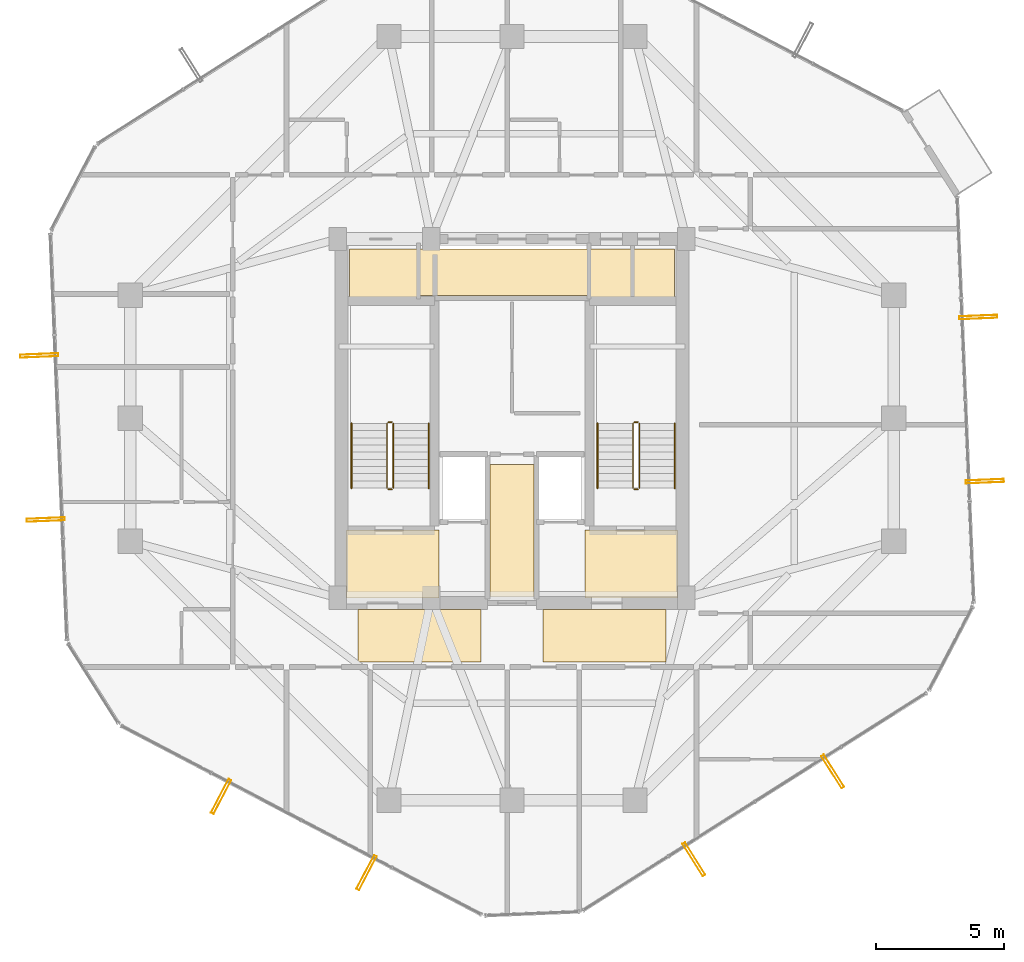
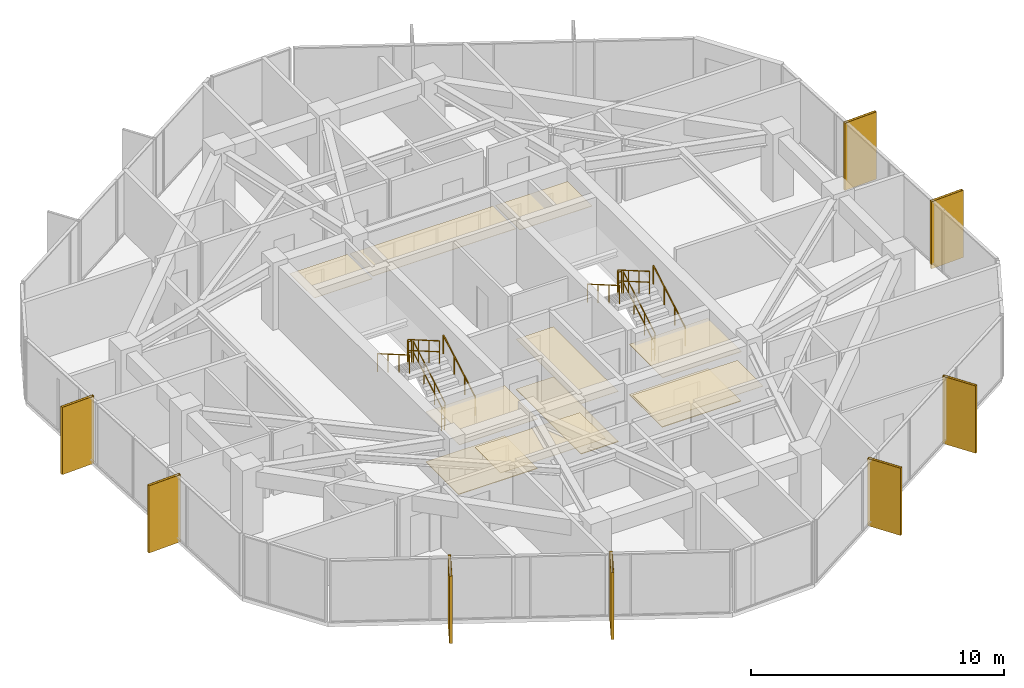
# One storey, part 32 of 33: 12 railings, 11 coverings, 8 shading devices.
"""IFC4 building model written with IfcOpenShell, lengths in metres."""

from ifc_helpers import new_model, si_unit, direction, frame, origin, origin_2d, place, context, subcontext, project, spatial, polyline, hollow_rectangle, circle, outline, extrude, material, layer, layer_set, material_profile, profile_set, type_object, element, save


model = new_model("IFC4")

# Units and contexts
model_context = context("Model", 3, precision=1e-05, world=origin(), true_north=direction((0.0, 1.0)))
body_context = subcontext(model_context, "Body", "Model", "MODEL_VIEW")
ifc_project = project(units=[si_unit("LENGTHUNIT", "METRE"), si_unit("AREAUNIT", "SQUARE_METRE"), si_unit("VOLUMEUNIT", "CUBIC_METRE"), si_unit("PLANEANGLEUNIT", "RADIAN"), si_unit("MASSUNIT", "GRAM", prefix="KILO")], contexts=[model_context])

# Site, building, storey
site_placement = place(None, origin())
site = spatial("IfcSite", under=ifc_project, at=site_placement, CompositionType="ELEMENT")
building_placement = place(site_placement, origin())
building = spatial("IfcBuilding", under=site, at=building_placement, Name="Veraguas Prism Commons", CompositionType="ELEMENT")
storey_placement = place(building_placement, frame((0.0, 0.0, 198.35009765625)))
storey = spatial("IfcBuildingStorey", under=building, at=storey_placement, Name="L56", CompositionType="ELEMENT", Elevation=198.35009765625)

# Shading devices
ifc_material_1 = material(Name="Anodised aluminium EN AW-6063 T6", Category="aluminium")
ifc_material_profile = material_profile(ifc_material_1, hollow_rectangle(XDim=0.1201171875, YDim=1.489990234375, WallThickness=0.006103515625, at=origin_2d()), Name="FIN120X1490X6")
ifc_profile_set = profile_set([ifc_material_profile], Name="Anodised aluminium EN AW-6063 T6")
shading_device_type = type_object("IfcShadingDeviceType", Name="Deep Pale-Metal Vertical Solar Fin 120x1490", PredefinedType="USERDEFINED", material=ifc_profile_set)
for number, where, z_axis, x_axis, name in (
    (1, (5.54931640625, 26.453125, -0.215087890625), (0.0, 0.0, 1.0), (0.040824120356, -0.999166348111, 0.0), "Vertical Pale-Metal Solar Fin L56-F3A"),
    (2, (5.810791015625, 20.049560546875, -0.215087890625), (0.0, 0.0, 1.0), (0.040824120356, -0.999166348111, 0.0), "Vertical Pale-Metal Solar Fin L56-F3B"),
    (3, (12.650146484375, 9.247802734375, -0.215087890625), (0.0, 0.0, 1.0), (0.885718741153, -0.464222265268, 0.0), "Vertical Pale-Metal Solar Fin L56-F4A"),
    (4, (18.32666015625, 6.2724609375, -0.215087890625), (0.0, 0.0, 1.0), (0.885718741153, -0.464222265268, 0.0), "Vertical Pale-Metal Solar Fin L56-F4B"),
    (5, (31.100830078125, 6.794677734375, -0.215087890625), (0.0, 0.0, 1.0), (0.844886711646, 0.534945272419, 0.0), "Vertical Pale-Metal Solar Fin L56-F5A"),
    (6, (36.515625, 10.222900390625, -0.215087890625), (0.0, 0.0, 1.0), (0.844886711646, 0.534945272419, 0.0), "Vertical Pale-Metal Solar Fin L56-F5B"),
    (7, (42.45068359375, 21.546875, -0.215087890625), (0.0, 0.0, 1.0), (-0.040824120356, 0.999166348111, 0.0), "Vertical Pale-Metal Solar Fin L56-F6A"),
    (8, (42.189208984375, 27.950439453125, -0.215087890625), (0.0, 0.0, 1.0), (-0.040824120356, 0.999166348111, 0.0), "Vertical Pale-Metal Solar Fin L56-F6B"),
):
    element("IfcShadingDevice", number, at=place(storey_placement, frame(where, z_axis=z_axis, x_axis=x_axis)), inside=storey, type_object=shading_device_type, Name=name, ObjectType="FIN", PredefinedType="USERDEFINED", context=body_context, shape_type="SweptSolid", body=[
        extrude(hollow_rectangle(XDim=0.1201171875, YDim=1.489990234375, WallThickness=0.006103515625, at=origin_2d()), origin(), (0.0, 0.0, 1.0), 3.25),
    ])

# Coverings
ifc_material_2 = material(Name="Acoustic gypsum board")
ifc_layer_1 = layer(ifc_material_2, 0.02490234375, Name="Perforated Acoustic Ceiling Tile 25")
ifc_layer_set_1 = layer_set([ifc_layer_1], Name="Acoustic gypsum board")
covering_type_1 = type_object("IfcCoveringType", Name="Perforated Acoustic Ceiling Tile 25", PredefinedType="USERDEFINED", material=ifc_layer_set_1)
covering_1_placement = place(storey_placement, frame((0.0, 0.0, 2.4248046875)))
element("IfcCovering", 9, at=covering_1_placement, inside=storey, type_object=covering_type_1, Name="East Lobby Acoustic Ceiling L56", ObjectType="ACOUSTIC CEILING", PredefinedType="USERDEFINED", context=body_context, shape_type="SweptSolid", body=[
    extrude(outline(polyline([(26.85009765625, 17.0), (30.449951171875, 17.0), (30.449951171875, 19.64990234375), (26.85009765625, 19.64990234375), (26.85009765625, 17.0)])), origin(), (0.0, 0.0, 1.0), 0.025146484375),
])
ifc_material_3 = material(Name="Terrazzo stone finish", Category="masonry")
ifc_layer_2 = layer(ifc_material_3, 0.030029296875, Name="Polished Terrazzo Floor Finish 30", Category="masonry")
ifc_layer_set_2 = layer_set([ifc_layer_2], Name="Terrazzo stone finish")
covering_type_2 = type_object("IfcCoveringType", Name="Polished Terrazzo Floor Finish 30", PredefinedType="FLOORING", material=ifc_layer_set_2)
covering_2_placement = place(storey_placement, origin())
element("IfcCovering", 10, at=covering_2_placement, inside=storey, type_object=covering_type_2, Name="Terrazzo Lobby Flooring L56", PredefinedType="FLOORING", context=body_context, shape_type="SweptSolid", body=[
    extrude(outline(polyline([(23.14990234375, 17.050048828125), (24.85009765625, 17.050048828125), (24.85009765625, 22.199951171875), (23.14990234375, 22.199951171875), (23.14990234375, 17.050048828125)])), origin(), (0.0, 0.0, 1.0), 0.02978515625),
])
covering_3_placement = place(storey_placement, origin())
element("IfcCovering", 11, at=covering_3_placement, inside=storey, type_object=covering_type_2, Name="West FF Lobby Terrazzo Flooring L56", PredefinedType="FLOORING", context=body_context, shape_type="SweptSolid", body=[
    extrude(outline(polyline([(17.550048828125, 17.050048828125), (21.14990234375, 17.050048828125), (21.14990234375, 19.64990234375), (17.550048828125, 19.64990234375), (17.550048828125, 17.050048828125)])), origin(), (0.0, 0.0, 1.0), 0.02978515625),
])
covering_4_placement = place(storey_placement, origin())
element("IfcCovering", 12, at=covering_4_placement, inside=storey, type_object=covering_type_2, Name="East FF Lobby Terrazzo Flooring L56", PredefinedType="FLOORING", context=body_context, shape_type="SweptSolid", body=[
    extrude(outline(polyline([(26.85009765625, 17.050048828125), (30.449951171875, 17.050048828125), (30.449951171875, 19.64990234375), (26.85009765625, 19.64990234375), (26.85009765625, 17.050048828125)])), origin(), (0.0, 0.0, 1.0), 0.02978515625),
])

# Railings
ifc_material_4 = material(Name="Stainless steel AISI 316", Category="steel")
railing_type_1 = type_object("IfcRailingType", Name="Stair and Ramp Stainless Handrail 900", PredefinedType="HANDRAIL", material=ifc_material_4)
railing_1_placement = place(storey_placement, frame((20.75, 21.280029296875, 0.162353515625)))
element("IfcRailing", 13, at=railing_1_placement, inside=storey, type_object=railing_type_1, Name="Stair Handrail ST-01 L56-1", PredefinedType="HANDRAIL", context=body_context, shape_type="SweptSolid", body=[
    extrude(circle(Radius=0.02392578125, at=origin_2d()), frame((0.0, 0.0, 0.8759765625), z_axis=(0.0, 0.864876961378, 0.501983905795), x_axis=(-1.0, 0.0, 0.0)), (0.0, 0.0, 1.0), 2.913818359375),
    extrude(circle(Radius=0.02099609375, at=origin_2d()), origin(), (0.0, 0.0, 1.0), 0.851806640625),
    extrude(circle(Radius=0.02099609375, at=origin_2d()), frame((0.0, 0.840087890625, 0.487548828125)), (0.0, 0.0, 1.0), 0.851806640625),
    extrude(circle(Radius=0.02099609375, at=origin_2d()), frame((0.0, 1.679931640625, 0.97509765625)), (0.0, 0.0, 1.0), 0.851806640625),
    extrude(circle(Radius=0.02099609375, at=origin_2d()), frame((0.0, 2.52001953125, 1.462646484375)), (0.0, 0.0, 1.0), 0.851806640625),
])
railing_2_placement = place(storey_placement, frame((17.739990234375, 23.800048828125, 1.787353515625)))
element("IfcRailing", 14, at=railing_2_placement, inside=storey, type_object=railing_type_1, Name="Stair Handrail ST-01 L56-2", PredefinedType="HANDRAIL", context=body_context, shape_type="SweptSolid", body=[
    extrude(circle(Radius=0.02392578125, at=origin_2d()), frame((0.0, 0.0, 0.8759765625), z_axis=(0.0, -0.864876961378, 0.501983905795), x_axis=(1.0, 0.0, 0.0)), (0.0, 0.0, 1.0), 2.913818359375),
    extrude(circle(Radius=0.02099609375, at=origin_2d()), origin(), (0.0, 0.0, 1.0), 0.851806640625),
    extrude(circle(Radius=0.02099609375, at=origin_2d()), frame((0.0, -0.840087890625, 0.487548828125)), (0.0, 0.0, 1.0), 0.851806640625),
    extrude(circle(Radius=0.02099609375, at=origin_2d()), frame((0.0, -1.679931640625, 0.97509765625)), (0.0, 0.0, 1.0), 0.851806640625),
    extrude(circle(Radius=0.02099609375, at=origin_2d()), frame((0.0, -2.52001953125, 1.462646484375)), (0.0, 0.0, 1.0), 0.851806640625),
])
railing_3_placement = place(storey_placement, frame((30.35009765625, 21.280029296875, 0.162353515625)))
element("IfcRailing", 15, at=railing_3_placement, inside=storey, type_object=railing_type_1, Name="Stair Handrail ST-02 L56-1", PredefinedType="HANDRAIL", context=body_context, shape_type="SweptSolid", body=[
    extrude(circle(Radius=0.02392578125, at=origin_2d()), frame((0.0, 0.0, 0.8759765625), z_axis=(0.0, 0.864876961378, 0.501983905795), x_axis=(-1.0, 0.0, 0.0)), (0.0, 0.0, 1.0), 2.913818359375),
    extrude(circle(Radius=0.02099609375, at=origin_2d()), origin(), (0.0, 0.0, 1.0), 0.851806640625),
    extrude(circle(Radius=0.02099609375, at=origin_2d()), frame((0.0, 0.840087890625, 0.487548828125)), (0.0, 0.0, 1.0), 0.851806640625),
    extrude(circle(Radius=0.02099609375, at=origin_2d()), frame((0.0, 1.679931640625, 0.97509765625)), (0.0, 0.0, 1.0), 0.851806640625),
    extrude(circle(Radius=0.02099609375, at=origin_2d()), frame((0.0, 2.52001953125, 1.462646484375)), (0.0, 0.0, 1.0), 0.851806640625),
])
railing_4_placement = place(storey_placement, frame((27.340087890625, 23.800048828125, 1.787353515625)))
element("IfcRailing", 16, at=railing_4_placement, inside=storey, type_object=railing_type_1, Name="Stair Handrail ST-02 L56-2", PredefinedType="HANDRAIL", context=body_context, shape_type="SweptSolid", body=[
    extrude(circle(Radius=0.02392578125, at=origin_2d()), frame((0.0, 0.0, 0.8759765625), z_axis=(0.0, -0.864876961378, 0.501983905795), x_axis=(1.0, 0.0, 0.0)), (0.0, 0.0, 1.0), 2.913818359375),
    extrude(circle(Radius=0.02099609375, at=origin_2d()), origin(), (0.0, 0.0, 1.0), 0.851806640625),
    extrude(circle(Radius=0.02099609375, at=origin_2d()), frame((0.0, -0.840087890625, 0.487548828125)), (0.0, 0.0, 1.0), 0.851806640625),
    extrude(circle(Radius=0.02099609375, at=origin_2d()), frame((0.0, -1.679931640625, 0.97509765625)), (0.0, 0.0, 1.0), 0.851806640625),
    extrude(circle(Radius=0.02099609375, at=origin_2d()), frame((0.0, -2.52001953125, 1.462646484375)), (0.0, 0.0, 1.0), 0.851806640625),
])
railing_type_2 = type_object("IfcRailingType", Name="Stairwell Safety Guardrail 1100", PredefinedType="GUARDRAIL", material=ifc_material_4)
railing_5_placement = place(storey_placement, frame((19.3701171875, 21.280029296875, 0.162353515625)))
element("IfcRailing", 17, at=railing_5_placement, inside=storey, type_object=railing_type_2, Name="Stair Guard ST-01 L56-1", PredefinedType="GUARDRAIL", context=body_context, shape_type="SweptSolid", body=[
    extrude(circle(Radius=0.02392578125, at=origin_2d()), frame((0.0, 0.0, 1.076171875), z_axis=(0.0, 0.864876961378, 0.501983905795), x_axis=(-1.0, 0.0, 0.0)), (0.0, 0.0, 1.0), 2.913818359375),
    extrude(circle(Radius=0.02392578125, at=origin_2d()), frame((0.0, 0.0, 0.550048828125), z_axis=(0.0, 0.864876961378, 0.501983905795), x_axis=(-1.0, 0.0, 0.0)), (0.0, 0.0, 1.0), 2.913818359375),
    extrude(circle(Radius=0.02099609375, at=origin_2d()), origin(), (0.0, 0.0, 1.0), 1.052001953125),
    extrude(circle(Radius=0.02099609375, at=origin_2d()), frame((0.0, 0.840087890625, 0.487548828125)), (0.0, 0.0, 1.0), 1.052001953125),
    extrude(circle(Radius=0.02099609375, at=origin_2d()), frame((0.0, 1.679931640625, 0.97509765625)), (0.0, 0.0, 1.0), 1.052001953125),
    extrude(circle(Radius=0.02099609375, at=origin_2d()), frame((0.0, 2.52001953125, 1.462646484375)), (0.0, 0.0, 1.0), 1.052001953125),
])
railing_6_placement = place(storey_placement, frame((19.320068359375, 23.85009765625, 1.625)))
element("IfcRailing", 18, at=railing_6_placement, inside=storey, type_object=railing_type_2, Name="Stair Guard ST-01 L56-2", PredefinedType="GUARDRAIL", context=body_context, shape_type="SweptSolid", body=[
    extrude(circle(Radius=0.02392578125, at=origin_2d()), frame((0.0, 0.0, 1.076171875), z_axis=(-1.0, 0.0, 0.0), x_axis=(0.0, -1.0, 0.0)), (0.0, 0.0, 1.0), 0.150146484375),
    extrude(circle(Radius=0.02392578125, at=origin_2d()), frame((0.0, 0.0, 0.550048828125), z_axis=(-1.0, 0.0, 0.0), x_axis=(0.0, -1.0, 0.0)), (0.0, 0.0, 1.0), 0.150146484375),
    extrude(circle(Radius=0.02099609375, at=origin_2d()), origin(), (0.0, 0.0, 1.0), 1.052001953125),
    extrude(circle(Radius=0.02099609375, at=origin_2d()), frame((-0.150146484375, 0.0, 0.0)), (0.0, 0.0, 1.0), 1.052001953125),
])
railing_7_placement = place(storey_placement, frame((19.1201171875, 23.800048828125, 1.787353515625)))
element("IfcRailing", 19, at=railing_7_placement, inside=storey, type_object=railing_type_2, Name="Stair Guard ST-01 L56-3", PredefinedType="GUARDRAIL", context=body_context, shape_type="SweptSolid", body=[
    extrude(circle(Radius=0.02392578125, at=origin_2d()), frame((0.0, 0.0, 1.076171875), z_axis=(0.0, -0.864876961378, 0.501983905795), x_axis=(1.0, 0.0, 0.0)), (0.0, 0.0, 1.0), 2.913818359375),
    extrude(circle(Radius=0.02392578125, at=origin_2d()), frame((0.0, 0.0, 0.550048828125), z_axis=(0.0, -0.864876961378, 0.501983905795), x_axis=(1.0, 0.0, 0.0)), (0.0, 0.0, 1.0), 2.913818359375),
    extrude(circle(Radius=0.02099609375, at=origin_2d()), origin(), (0.0, 0.0, 1.0), 1.052001953125),
    extrude(circle(Radius=0.02099609375, at=origin_2d()), frame((0.0, -0.840087890625, 0.487548828125)), (0.0, 0.0, 1.0), 1.052001953125),
    extrude(circle(Radius=0.02099609375, at=origin_2d()), frame((0.0, -1.679931640625, 0.97509765625)), (0.0, 0.0, 1.0), 1.052001953125),
    extrude(circle(Radius=0.02099609375, at=origin_2d()), frame((0.0, -2.52001953125, 1.462646484375)), (0.0, 0.0, 1.0), 1.052001953125),
])
railing_8_placement = place(storey_placement, frame((19.320068359375, 21.22998046875, 0.0)))
element("IfcRailing", 20, at=railing_8_placement, inside=storey, type_object=railing_type_2, Name="Stair Guard ST-01 L56-4", PredefinedType="GUARDRAIL", context=body_context, shape_type="SweptSolid", body=[
    extrude(circle(Radius=0.02392578125, at=origin_2d()), frame((0.0, 0.0, 1.076171875), z_axis=(-1.0, 0.0, 0.0), x_axis=(0.0, -1.0, 0.0)), (0.0, 0.0, 1.0), 0.150146484375),
    extrude(circle(Radius=0.02392578125, at=origin_2d()), frame((0.0, 0.0, 0.550048828125), z_axis=(-1.0, 0.0, 0.0), x_axis=(0.0, -1.0, 0.0)), (0.0, 0.0, 1.0), 0.150146484375),
    extrude(circle(Radius=0.02099609375, at=origin_2d()), origin(), (0.0, 0.0, 1.0), 1.052001953125),
    extrude(circle(Radius=0.02099609375, at=origin_2d()), frame((-0.150146484375, 0.0, 0.0)), (0.0, 0.0, 1.0), 1.052001953125),
])
railing_9_placement = place(storey_placement, frame((28.969970703125, 21.280029296875, 0.162353515625)))
element("IfcRailing", 21, at=railing_9_placement, inside=storey, type_object=railing_type_2, Name="Stair Guard ST-02 L56-1", PredefinedType="GUARDRAIL", context=body_context, shape_type="SweptSolid", body=[
    extrude(circle(Radius=0.02392578125, at=origin_2d()), frame((0.0, 0.0, 1.076171875), z_axis=(0.0, 0.864876961378, 0.501983905795), x_axis=(-1.0, 0.0, 0.0)), (0.0, 0.0, 1.0), 2.913818359375),
    extrude(circle(Radius=0.02392578125, at=origin_2d()), frame((0.0, 0.0, 0.550048828125), z_axis=(0.0, 0.864876961378, 0.501983905795), x_axis=(-1.0, 0.0, 0.0)), (0.0, 0.0, 1.0), 2.913818359375),
    extrude(circle(Radius=0.02099609375, at=origin_2d()), origin(), (0.0, 0.0, 1.0), 1.052001953125),
    extrude(circle(Radius=0.02099609375, at=origin_2d()), frame((0.0, 0.840087890625, 0.487548828125)), (0.0, 0.0, 1.0), 1.052001953125),
    extrude(circle(Radius=0.02099609375, at=origin_2d()), frame((0.0, 1.679931640625, 0.97509765625)), (0.0, 0.0, 1.0), 1.052001953125),
    extrude(circle(Radius=0.02099609375, at=origin_2d()), frame((0.0, 2.52001953125, 1.462646484375)), (0.0, 0.0, 1.0), 1.052001953125),
])
railing_10_placement = place(storey_placement, frame((28.919921875, 23.85009765625, 1.625)))
element("IfcRailing", 22, at=railing_10_placement, inside=storey, type_object=railing_type_2, Name="Stair Guard ST-02 L56-2", PredefinedType="GUARDRAIL", context=body_context, shape_type="SweptSolid", body=[
    extrude(circle(Radius=0.02392578125, at=origin_2d()), frame((0.0, 0.0, 1.076171875), z_axis=(-1.0, 0.0, 0.0), x_axis=(0.0, -1.0, 0.0)), (0.0, 0.0, 1.0), 0.14990234375),
    extrude(circle(Radius=0.02392578125, at=origin_2d()), frame((0.0, 0.0, 0.550048828125), z_axis=(-1.0, 0.0, 0.0), x_axis=(0.0, -1.0, 0.0)), (0.0, 0.0, 1.0), 0.14990234375),
    extrude(circle(Radius=0.02099609375, at=origin_2d()), origin(), (0.0, 0.0, 1.0), 1.052001953125),
    extrude(circle(Radius=0.02099609375, at=origin_2d()), frame((-0.14990234375, 0.0, 0.0)), (0.0, 0.0, 1.0), 1.052001953125),
])
railing_11_placement = place(storey_placement, frame((28.719970703125, 23.800048828125, 1.787353515625)))
element("IfcRailing", 23, at=railing_11_placement, inside=storey, type_object=railing_type_2, Name="Stair Guard ST-02 L56-3", PredefinedType="GUARDRAIL", context=body_context, shape_type="SweptSolid", body=[
    extrude(circle(Radius=0.02392578125, at=origin_2d()), frame((0.0, 0.0, 1.076171875), z_axis=(0.0, -0.864876961378, 0.501983905795), x_axis=(1.0, 0.0, 0.0)), (0.0, 0.0, 1.0), 2.913818359375),
    extrude(circle(Radius=0.02392578125, at=origin_2d()), frame((0.0, 0.0, 0.550048828125), z_axis=(0.0, -0.864876961378, 0.501983905795), x_axis=(1.0, 0.0, 0.0)), (0.0, 0.0, 1.0), 2.913818359375),
    extrude(circle(Radius=0.02099609375, at=origin_2d()), origin(), (0.0, 0.0, 1.0), 1.052001953125),
    extrude(circle(Radius=0.02099609375, at=origin_2d()), frame((0.0, -0.840087890625, 0.487548828125)), (0.0, 0.0, 1.0), 1.052001953125),
    extrude(circle(Radius=0.02099609375, at=origin_2d()), frame((0.0, -1.679931640625, 0.97509765625)), (0.0, 0.0, 1.0), 1.052001953125),
    extrude(circle(Radius=0.02099609375, at=origin_2d()), frame((0.0, -2.52001953125, 1.462646484375)), (0.0, 0.0, 1.0), 1.052001953125),
])
railing_12_placement = place(storey_placement, frame((28.919921875, 21.22998046875, 0.0)))
element("IfcRailing", 24, at=railing_12_placement, inside=storey, type_object=railing_type_2, Name="Stair Guard ST-02 L56-4", PredefinedType="GUARDRAIL", context=body_context, shape_type="SweptSolid", body=[
    extrude(circle(Radius=0.02392578125, at=origin_2d()), frame((0.0, 0.0, 1.076171875), z_axis=(-1.0, 0.0, 0.0), x_axis=(0.0, -1.0, 0.0)), (0.0, 0.0, 1.0), 0.14990234375),
    extrude(circle(Radius=0.02392578125, at=origin_2d()), frame((0.0, 0.0, 0.550048828125), z_axis=(-1.0, 0.0, 0.0), x_axis=(0.0, -1.0, 0.0)), (0.0, 0.0, 1.0), 0.14990234375),
    extrude(circle(Radius=0.02099609375, at=origin_2d()), origin(), (0.0, 0.0, 1.0), 1.052001953125),
    extrude(circle(Radius=0.02099609375, at=origin_2d()), frame((-0.14990234375, 0.0, 0.0)), (0.0, 0.0, 1.0), 1.052001953125),
])

# Coverings
ifc_layer_3 = layer(ifc_material_2, 0.02001953125, Name="Suspended Gypsum Ceiling 20")
ifc_layer_set_3 = layer_set([ifc_layer_3], Name="Acoustic gypsum board")
covering_type_3 = type_object("IfcCoveringType", Name="Suspended Gypsum Ceiling 20", PredefinedType="CEILING", material=ifc_layer_set_3)
covering_5_placement = place(storey_placement, frame((0.0, 0.0, 2.429931640625)))
element("IfcCovering", 25, at=covering_5_placement, inside=storey, type_object=covering_type_3, Name="West Lobby Suspended Gypsum Ceiling L56", PredefinedType="CEILING", context=body_context, shape_type="SweptSolid", body=[
    extrude(outline(polyline([(17.550048828125, 17.0), (21.14990234375, 17.0), (21.14990234375, 19.64990234375), (17.550048828125, 19.64990234375), (17.550048828125, 17.0)])), origin(), (0.0, 0.0, 1.0), 0.02001953125),
])
covering_6_placement = place(storey_placement, frame((0.0, 0.0, 2.429931640625)))
element("IfcCovering", 26, at=covering_6_placement, inside=storey, type_object=covering_type_3, Name="Core Lobby Acoustic Ceiling L56-1", PredefinedType="CEILING", context=body_context, shape_type="SweptSolid", body=[
    extrude(outline(polyline([(18.0, 14.5), (22.800048828125, 14.5), (22.800048828125, 16.550048828125), (18.0, 16.550048828125), (18.0, 14.5)])), origin(), (0.0, 0.0, 1.0), 0.02001953125),
])
covering_7_placement = place(storey_placement, frame((0.0, 0.0, 2.429931640625)))
element("IfcCovering", 27, at=covering_7_placement, inside=storey, type_object=covering_type_3, Name="Core Lobby Acoustic Ceiling L56-2", PredefinedType="CEILING", context=body_context, shape_type="SweptSolid", body=[
    extrude(outline(polyline([(25.199951171875, 14.5), (30.0, 14.5), (30.0, 16.550048828125), (25.199951171875, 16.550048828125), (25.199951171875, 14.5)])), origin(), (0.0, 0.0, 1.0), 0.02001953125),
])
covering_8_placement = place(storey_placement, frame((0.0, 0.0, 2.429931640625)))
element("IfcCovering", 28, at=covering_8_placement, inside=storey, type_object=covering_type_3, Name="Core Lobby Acoustic Ceiling L56-3", PredefinedType="CEILING", context=body_context, shape_type="SweptSolid", body=[
    extrude(outline(polyline([(23.14990234375, 17.050048828125), (24.85009765625, 17.050048828125), (24.85009765625, 22.199951171875), (23.14990234375, 22.199951171875), (23.14990234375, 17.050048828125)])), origin(), (0.0, 0.0, 1.0), 0.02001953125),
])
covering_9_placement = place(storey_placement, frame((0.0, 0.0, 2.429931640625)))
element("IfcCovering", 29, at=covering_9_placement, inside=storey, type_object=covering_type_3, Name="Core Lobby Acoustic Ceiling L56-4", PredefinedType="CEILING", context=body_context, shape_type="SweptSolid", body=[
    extrude(outline(polyline([(17.64990234375, 28.64990234375), (20.300048828125, 28.64990234375), (20.300048828125, 30.60009765625), (17.64990234375, 30.60009765625), (17.64990234375, 28.64990234375)])), origin(), (0.0, 0.0, 1.0), 0.02001953125),
])
covering_10_placement = place(storey_placement, frame((0.0, 0.0, 2.429931640625)))
element("IfcCovering", 30, at=covering_10_placement, inside=storey, type_object=covering_type_3, Name="Core Lobby Acoustic Ceiling L56-5", PredefinedType="CEILING", context=body_context, shape_type="SweptSolid", body=[
    extrude(outline(polyline([(27.050048828125, 28.64990234375), (30.35009765625, 28.64990234375), (30.35009765625, 30.60009765625), (27.050048828125, 30.60009765625), (27.050048828125, 28.64990234375)])), origin(), (0.0, 0.0, 1.0), 0.02001953125),
])
covering_11_placement = place(storey_placement, frame((0.0, 0.0, 2.429931640625)))
element("IfcCovering", 31, at=covering_11_placement, inside=storey, type_object=covering_type_3, Name="Core Lobby Acoustic Ceiling L56-6", PredefinedType="CEILING", context=body_context, shape_type="SweptSolid", body=[
    extrude(outline(polyline([(20.39990234375, 28.800048828125), (26.949951171875, 28.800048828125), (26.949951171875, 30.60009765625), (20.39990234375, 30.60009765625), (20.39990234375, 28.800048828125)])), origin(), (0.0, 0.0, 1.0), 0.02001953125),
])

save(model, "model.ifc")
